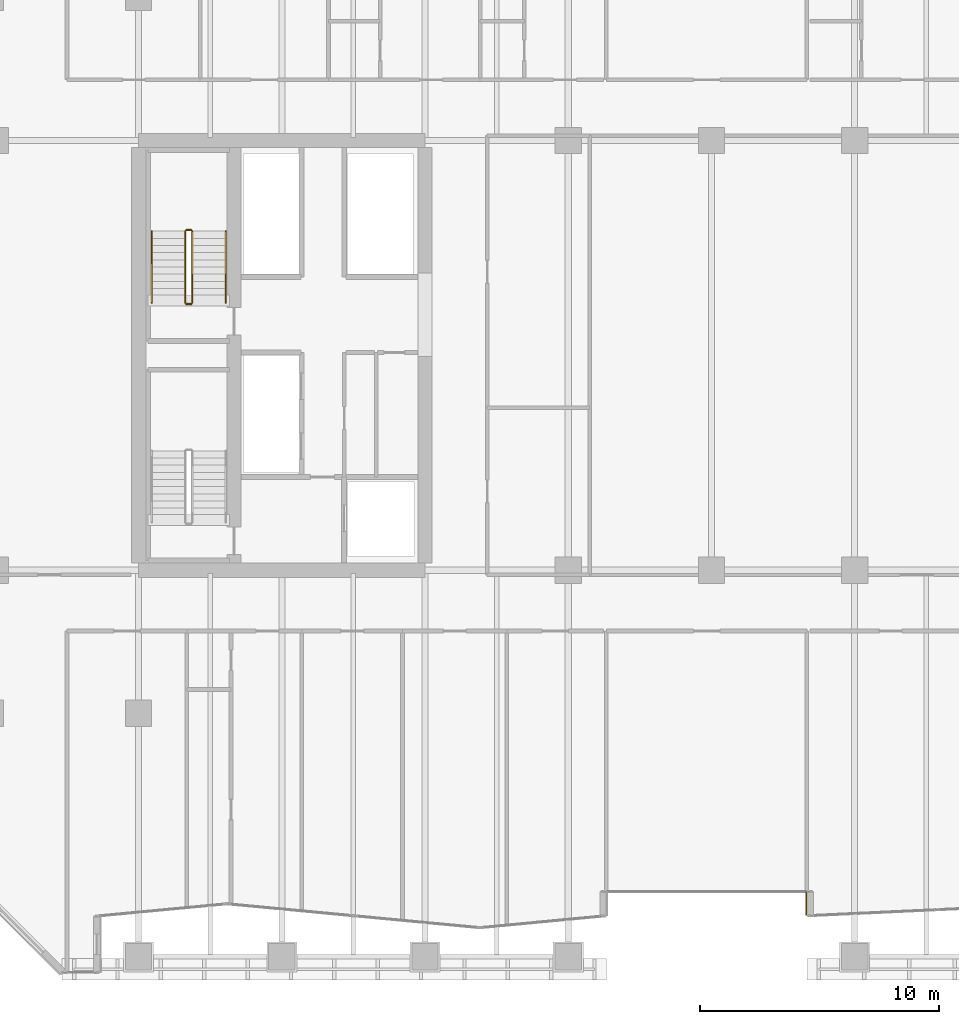
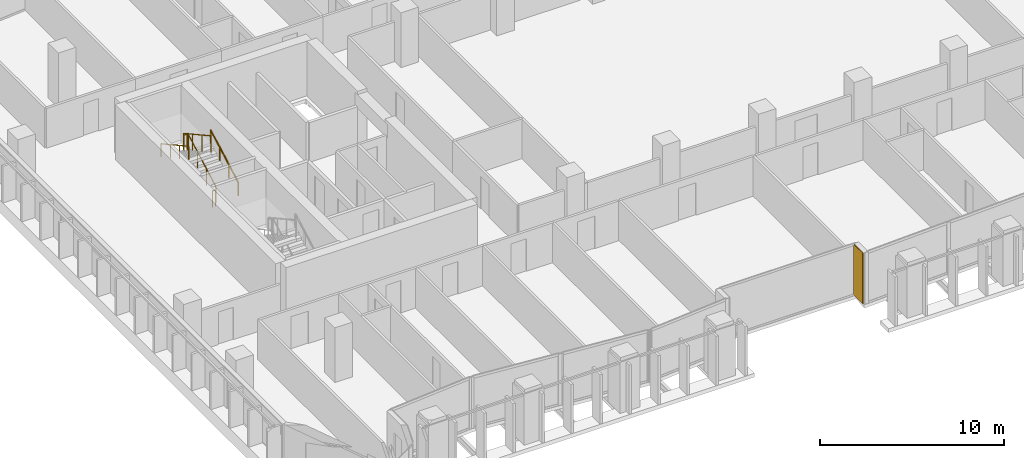
# One storey, part 29 of 32: 6 railings, 1 covering.
"""IFC4 building model written with IfcOpenShell, lengths in metres."""

from ifc_helpers import new_model, si_unit, direction, frame, origin, origin_2d, place, context, subcontext, project, spatial, rectangle, extrude, material, layer, layer_set, type_object, element, save


model = new_model("IFC4")

# Units and contexts
model_context = context("Model", 3, precision=1e-05, world=origin(), true_north=direction((0.0, 1.0)))
body_context = subcontext(model_context, "Body", "Model", "MODEL_VIEW")
ifc_project = project(units=[si_unit("LENGTHUNIT", "METRE"), si_unit("AREAUNIT", "SQUARE_METRE"), si_unit("VOLUMEUNIT", "CUBIC_METRE"), si_unit("PLANEANGLEUNIT", "RADIAN"), si_unit("MASSUNIT", "GRAM", prefix="KILO")], contexts=[model_context])

# Site, building, storey
site_placement = place(None, origin())
site = spatial("IfcSite", under=ifc_project, at=site_placement, CompositionType="ELEMENT")
building_placement = place(site_placement, origin())
building = spatial("IfcBuilding", under=site, at=building_placement, Name="Tanjung Sevakor Pilgrim Tower", CompositionType="ELEMENT")
storey_placement = place(building_placement, frame((0.0, 0.0, 62.3701171875)))
storey = spatial("IfcBuildingStorey", under=building, at=storey_placement, Name="L17", CompositionType="ELEMENT", Elevation=62.3701171875)

# Covering
ifc_material_1 = material(Name="Reconstructed Limestone Cladding", Category="masonry")
ifc_layer = layer(ifc_material_1, 0.044921875)
ifc_layer_set = layer_set([ifc_layer], Name="COV-CLAD-LIMESTONE")
covering_type = type_object("IfcCoveringType", Name="COV-CLAD-LIMESTONE", PredefinedType="CLADDING", material=ifc_layer_set)
covering_placement = place(storey_placement, frame((51.9775390625, 10.63330078125, 0.019775390625), z_axis=(0.0, 0.0, 1.0), x_axis=(0.0, -1.0, 0.0)))
element("IfcCovering", 1, at=covering_placement, inside=storey, type_object=covering_type, Name="L17 Warm Limestone Wall Cladding EW-L17-MAIN-9", PredefinedType="CLADDING", context=body_context, shape_type="SweptSolid", body=[
    extrude(rectangle(XDim=0.973388671875, YDim=0.044921875, at=origin_2d()), origin(), (0.0, 0.0, 1.0), 3.3701171875),
])

# Railings
ifc_material_2 = material(Name="Steel S355J2", Category="steel")
railing_type_1 = type_object("IfcRailingType", Name="RL-STAIR-GUARD", PredefinedType="GUARDRAIL", material=ifc_material_2)
railing_1_placement = place(storey_placement, frame((26.25, 35.800048828125, 0.164794921875)))
element("IfcRailing", 2, at=railing_1_placement, inside=storey, type_object=railing_type_1, Name="L17 TS-W2 stair guard 1", PredefinedType="GUARDRAIL", context=body_context, shape_type="SweptSolid", body=[
    extrude(rectangle(XDim=0.0479, YDim=0.0479), frame((0.0, 0.0, 1.076171875), z_axis=(0.0, 0.876197842262, 0.481951596342), x_axis=(-1.0, 0.0, 0.0)), (0.0, 0.0, 1.0), 3.423828125),
    extrude(rectangle(XDim=0.042, YDim=0.042), origin(), (0.0, 0.0, 1.0), 1.052001953125),
    extrude(rectangle(XDim=0.042, YDim=0.042), frame((0.0, 1.0, 0.550048828125)), (0.0, 0.0, 1.0), 1.052001953125),
    extrude(rectangle(XDim=0.042, YDim=0.042), frame((0.0, 2.0, 1.10009765625)), (0.0, 0.0, 1.0), 1.052001953125),
    extrude(rectangle(XDim=0.042, YDim=0.042), frame((0.0, 3.0, 1.650146484375)), (0.0, 0.0, 1.0), 1.052001953125),
])
railing_2_placement = place(storey_placement, frame((26.199951171875, 38.85009765625, 1.81494140625)))
element("IfcRailing", 3, at=railing_2_placement, inside=storey, type_object=railing_type_1, Name="L17 TS-W2 stair guard 2", PredefinedType="GUARDRAIL", context=body_context, shape_type="SweptSolid", body=[
    extrude(rectangle(XDim=0.0479, YDim=0.0479), frame((0.0, 0.0, 1.076171875), z_axis=(-1.0, 0.0, 0.0), x_axis=(0.0, -1.0, 0.0)), (0.0, 0.0, 1.0), 0.199951171875),
    extrude(rectangle(XDim=0.042, YDim=0.042), origin(), (0.0, 0.0, 1.0), 1.052001953125),
    extrude(rectangle(XDim=0.042, YDim=0.042), frame((-0.199951171875, 0.0, 0.0)), (0.0, 0.0, 1.0), 1.052001953125),
])
railing_3_placement = place(storey_placement, frame((25.949951171875, 38.800048828125, 1.97998046875)))
element("IfcRailing", 4, at=railing_3_placement, inside=storey, type_object=railing_type_1, Name="L17 TS-W2 stair guard 3", PredefinedType="GUARDRAIL", context=body_context, shape_type="SweptSolid", body=[
    extrude(rectangle(XDim=0.0479, YDim=0.0479), frame((0.0, 0.0, 1.076171875), z_axis=(0.0, -0.876227952683, 0.48189685093), x_axis=(1.0, 0.0, 0.0)), (0.0, 0.0, 1.0), 3.423828125),
    extrude(rectangle(XDim=0.042, YDim=0.042), origin(), (0.0, 0.0, 1.0), 1.052001953125),
    extrude(rectangle(XDim=0.042, YDim=0.042), frame((0.0, -1.0, 0.550048828125)), (0.0, 0.0, 1.0), 1.052001953125),
    extrude(rectangle(XDim=0.042, YDim=0.042), frame((0.0, -2.0, 1.099853515625)), (0.0, 0.0, 1.0), 1.052001953125),
    extrude(rectangle(XDim=0.042, YDim=0.042), frame((0.0, -3.0, 1.64990234375)), (0.0, 0.0, 1.0), 1.052001953125),
])
railing_4_placement = place(storey_placement, frame((26.199951171875, 35.75, 0.0)))
element("IfcRailing", 5, at=railing_4_placement, inside=storey, type_object=railing_type_1, Name="L17 TS-W2 stair guard 4", PredefinedType="GUARDRAIL", context=body_context, shape_type="SweptSolid", body=[
    extrude(rectangle(XDim=0.0479, YDim=0.0479), frame((0.0, 0.0, 1.076171875), z_axis=(-1.0, 0.0, 0.0), x_axis=(0.0, -1.0, 0.0)), (0.0, 0.0, 1.0), 0.199951171875),
    extrude(rectangle(XDim=0.042, YDim=0.042), origin(), (0.0, 0.0, 1.0), 1.052001953125),
    extrude(rectangle(XDim=0.042, YDim=0.042), frame((-0.199951171875, 0.0, 0.0)), (0.0, 0.0, 1.0), 1.052001953125),
])
ifc_material_3 = material(Name="Steel S355J2", Category="steel")
railing_type_2 = type_object("IfcRailingType", Name="RL-STAIR-HAND", PredefinedType="HANDRAIL", material=ifc_material_3)
railing_5_placement = place(storey_placement, frame((27.64990234375, 35.800048828125, 0.164794921875)))
element("IfcRailing", 6, at=railing_5_placement, inside=storey, type_object=railing_type_2, Name="L17 TS-W2 stair handrail 1", PredefinedType="HANDRAIL", context=body_context, shape_type="SweptSolid", body=[
    extrude(rectangle(XDim=0.0479, YDim=0.0479), frame((0.0, 0.0, 0.8759765625), z_axis=(0.0, 0.876197842262, 0.481951596342), x_axis=(-1.0, 0.0, 0.0)), (0.0, 0.0, 1.0), 3.423828125),
    extrude(rectangle(XDim=0.042, YDim=0.042), origin(), (0.0, 0.0, 1.0), 0.851806640625),
    extrude(rectangle(XDim=0.042, YDim=0.042), frame((0.0, 1.0, 0.550048828125)), (0.0, 0.0, 1.0), 0.851806640625),
    extrude(rectangle(XDim=0.042, YDim=0.042), frame((0.0, 2.0, 1.10009765625)), (0.0, 0.0, 1.0), 0.851806640625),
    extrude(rectangle(XDim=0.042, YDim=0.042), frame((0.0, 3.0, 1.650146484375)), (0.0, 0.0, 1.0), 0.851806640625),
])
railing_6_placement = place(storey_placement, frame((24.550048828125, 38.800048828125, 1.97998046875)))
element("IfcRailing", 7, at=railing_6_placement, inside=storey, type_object=railing_type_2, Name="L17 TS-W2 stair handrail 2", PredefinedType="HANDRAIL", context=body_context, shape_type="SweptSolid", body=[
    extrude(rectangle(XDim=0.0479, YDim=0.0479), frame((0.0, 0.0, 0.8759765625), z_axis=(0.0, -0.876227952683, 0.48189685093), x_axis=(1.0, 0.0, 0.0)), (0.0, 0.0, 1.0), 3.423828125),
    extrude(rectangle(XDim=0.042, YDim=0.042), origin(), (0.0, 0.0, 1.0), 0.851806640625),
    extrude(rectangle(XDim=0.042, YDim=0.042), frame((0.0, -1.0, 0.550048828125)), (0.0, 0.0, 1.0), 0.851806640625),
    extrude(rectangle(XDim=0.042, YDim=0.042), frame((0.0, -2.0, 1.099853515625)), (0.0, 0.0, 1.0), 0.851806640625),
    extrude(rectangle(XDim=0.042, YDim=0.042), frame((0.0, -3.0, 1.64990234375)), (0.0, 0.0, 1.0), 0.851806640625),
])

save(model, "model.ifc")
